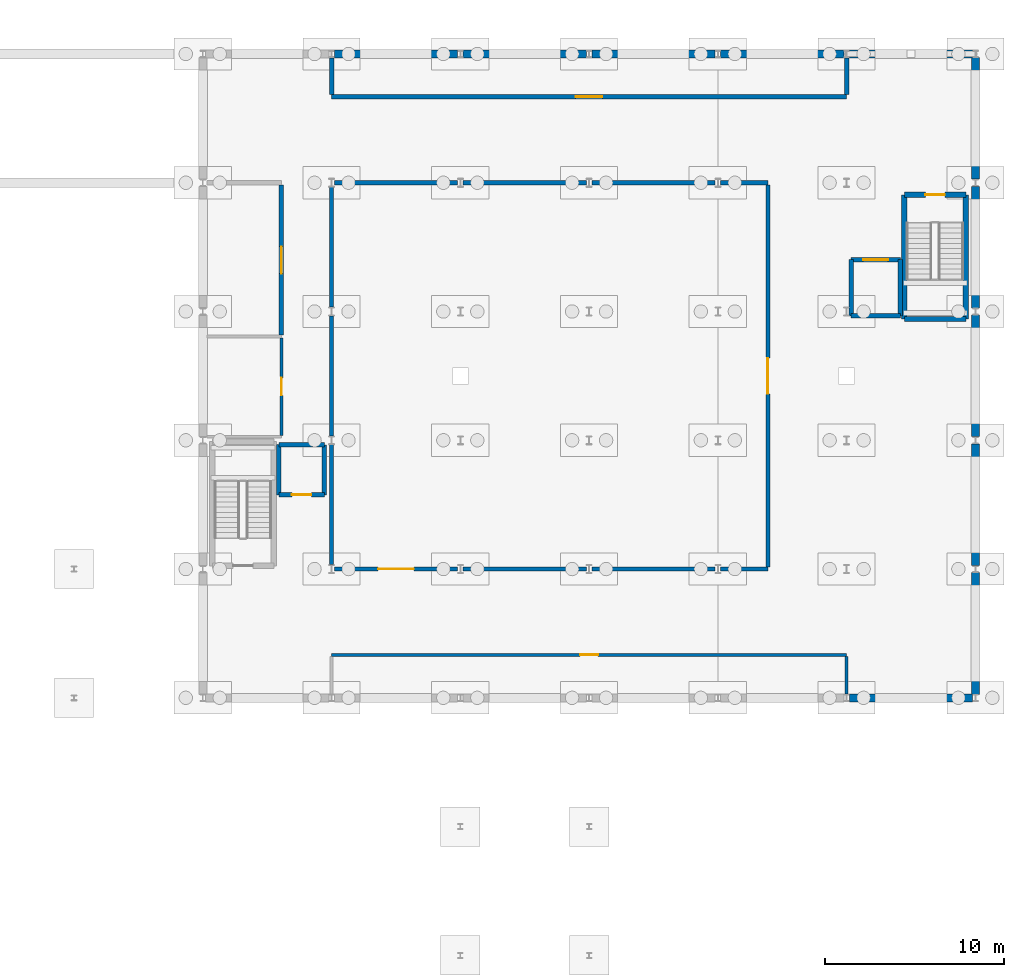
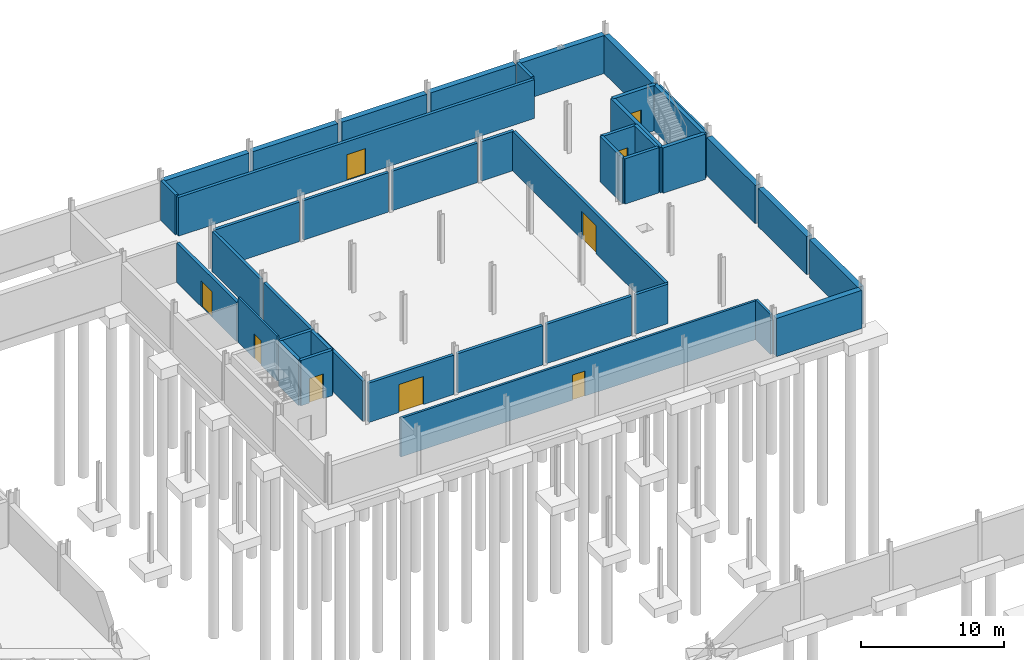
# One storey, part 42 of 50: 42 walls, 9 doors, 9 openings.
"""IFC4 building model written with IfcOpenShell, lengths in metres."""

from ifc_helpers import new_model, si_unit, direction, frame, frame_2d, origin, place, context, subcontext, project, spatial, rectangle, extrude, material, layer, layer_set, type_object, element, fill, save


model = new_model("IFC4")

# Units and contexts
model_context = context("Model", 3, precision=1e-05, world=origin(), true_north=direction((0.0, 1.0)))
body_context = subcontext(model_context, "Body", "Model", "MODEL_VIEW")
ifc_project = project(units=[si_unit("LENGTHUNIT", "METRE"), si_unit("AREAUNIT", "SQUARE_METRE"), si_unit("VOLUMEUNIT", "CUBIC_METRE"), si_unit("PLANEANGLEUNIT", "RADIAN"), si_unit("MASSUNIT", "GRAM", prefix="KILO")], contexts=[model_context])

# Site, building, storey
site_placement = place(None, origin())
site = spatial("IfcSite", under=ifc_project, at=site_placement, CompositionType="ELEMENT")
building_placement = place(site_placement, origin())
building = spatial("IfcBuilding", under=site, at=building_placement, Name="Narikvali Park Central Library", CompositionType="ELEMENT")
storey_placement = place(building_placement, frame((0.0, 0.0, -4.199951171875)))
storey = spatial("IfcBuildingStorey", under=building, at=storey_placement, Name="B1", CompositionType="ELEMENT", Elevation=-4.199951171875)

# Walls
ifc_material_1 = material(Name="Concrete C35/45", Category="concrete")
ifc_layer_1 = layer(ifc_material_1, 0.449951171875, Name="Concrete C35/45")
ifc_layer_set_1 = layer_set([ifc_layer_1], Name="Concrete C35/45")
wall_type_1 = type_object("IfcWallType", Name="Basement Perimeter Retaining Wall 450", PredefinedType="USERDEFINED", material=ifc_layer_set_1)
wall_1_placement = place(storey_placement, frame((129.75390625, 115.199951171875, 0.0), z_axis=(0.0, 0.0, 1.0), x_axis=(1.0, 0.0, 0.0)))
element("IfcWall", 1, at=wall_1_placement, inside=storey, type_object=wall_type_1, Name="V3 B1 Retaining Wall N", ObjectType="RETAINING WALL", PredefinedType="USERDEFINED", context=body_context, shape_type="SweptSolid", body=[
    extrude(rectangle(XDim=6.89208984375, YDim=0.449951171875, at=frame_2d((3.446044921875, 0.0))), origin(), (0.0, 0.0, 1.0), 3.260009765625),
])
for number, where, z_axis, x_axis, name in (
    (2, (136.9541015625, 115.199951171875, 0.0), (0.0, 0.0, 1.0), (1.0, 0.0, 0.0), "V3 B1 Retaining Wall N"),
    (3, (144.154052734375, 115.199951171875, 0.0), (0.0, 0.0, 1.0), (1.0, 0.0, 0.0), "V3 B1 Retaining Wall N"),
):
    element("IfcWall", number, at=place(storey_placement, frame(where, z_axis=z_axis, x_axis=x_axis)), inside=storey, type_object=wall_type_1, Name=name, ObjectType="RETAINING WALL", PredefinedType="USERDEFINED", context=body_context, shape_type="SweptSolid", body=[
        extrude(rectangle(XDim=6.891845703125, YDim=0.449951171875, at=frame_2d((3.44580078125, 0.0))), origin(), (0.0, 0.0, 1.0), 3.260009765625),
    ])
for number, where, z_axis, x_axis, name in (
    (4, (151.35400390625, 115.199951171875, 0.0), (0.0, 0.0, 1.0), (1.0, 0.0, 0.0), "V3 B1 Retaining Wall N"),
    (5, (158.553955078125, 79.199951171875, 0.0), (0.0, 0.0, 1.0), (1.0, 0.0, 0.0), "V3 B1 Retaining Wall S"),
    (6, (158.553955078125, 115.199951171875, 0.0), (0.0, 0.0, 1.0), (1.0, 0.0, 0.0), "V3 B1 Retaining Wall N"),
):
    element("IfcWall", number, at=place(storey_placement, frame(where, z_axis=z_axis, x_axis=x_axis)), inside=storey, type_object=wall_type_1, Name=name, ObjectType="RETAINING WALL", PredefinedType="USERDEFINED", context=body_context, shape_type="SweptSolid", body=[
        extrude(rectangle(XDim=6.89208984375, YDim=0.449951171875, at=frame_2d((3.446044921875, 0.0))), origin(), (0.0, 0.0, 1.0), 3.260009765625),
    ])
wall_2_placement = place(storey_placement, frame((165.60009765625, 79.3974609375, 0.0), z_axis=(0.0, 0.0, 1.0), x_axis=(0.0, 1.0, 0.0)))
element("IfcWall", 7, at=wall_2_placement, inside=storey, type_object=wall_type_1, Name="V3 B1 Retaining Wall E", ObjectType="RETAINING WALL", PredefinedType="USERDEFINED", context=body_context, shape_type="SweptSolid", body=[
    extrude(rectangle(XDim=6.804931640625, YDim=0.449951171875, at=frame_2d((3.40234375, 0.0))), origin(), (0.0, 0.0, 1.0), 3.260009765625),
])
wall_3_placement = place(storey_placement, frame((165.60009765625, 86.597412109375, 0.0), z_axis=(0.0, 0.0, 1.0), x_axis=(0.0, 1.0, 0.0)))
element("IfcWall", 8, at=wall_3_placement, inside=storey, type_object=wall_type_1, Name="V3 B1 Retaining Wall E", ObjectType="RETAINING WALL", PredefinedType="USERDEFINED", context=body_context, shape_type="SweptSolid", body=[
    extrude(rectangle(XDim=6.80517578125, YDim=0.449951171875, at=frame_2d((3.402587890625, 0.0))), origin(), (0.0, 0.0, 1.0), 3.260009765625),
])
for number, where, z_axis, x_axis, name in (
    (9, (165.60009765625, 93.797607421875, 0.0), (0.0, 0.0, 1.0), (0.0, 1.0, 0.0), "V3 B1 Retaining Wall E"),
    (10, (165.60009765625, 100.99755859375, 0.0), (0.0, 0.0, 1.0), (0.0, 1.0, 0.0), "V3 B1 Retaining Wall E"),
    (11, (165.60009765625, 108.197509765625, 0.0), (0.0, 0.0, 1.0), (0.0, 1.0, 0.0), "V3 B1 Retaining Wall E"),
):
    element("IfcWall", number, at=place(storey_placement, frame(where, z_axis=z_axis, x_axis=x_axis)), inside=storey, type_object=wall_type_1, Name=name, ObjectType="RETAINING WALL", PredefinedType="USERDEFINED", context=body_context, shape_type="SweptSolid", body=[
        extrude(rectangle(XDim=6.804931640625, YDim=0.449951171875, at=frame_2d((3.40234375, 0.0))), origin(), (0.0, 0.0, 1.0), 3.260009765625),
    ])

# Wall, opening, door
ifc_material_2 = material(Name="Autoclaved Concrete Blockwork C25/30", Category="masonry")
ifc_layer_2 = layer(ifc_material_2, 0.239990234375, Name="Autoclaved Concrete Blockwork C25/30")
ifc_layer_set_2 = layer_set([ifc_layer_2], Name="Autoclaved Concrete Blockwork C25/30")
wall_type_2 = type_object("IfcWallType", Name="Fire Compartment Concrete Block Wall 240", PredefinedType="SOLIDWALL", material=ifc_layer_set_2)
wall_4_placement = place(storey_placement, frame((129.757568359375, 86.39990234375, 0.0), z_axis=(0.0, 0.0, 1.0), x_axis=(1.0, 0.0, 0.0)))
wall_4 = element("IfcWall", 12, at=wall_4_placement, inside=storey, type_object=wall_type_2, Name="Performers Green Room and Dressing Suite Partition S", PredefinedType="SOLIDWALL", context=body_context, shape_type="SweptSolid", body=[
    extrude(rectangle(XDim=6.885009765625, YDim=0.239990234375, at=frame_2d((3.4423828125, 0.0))), origin(), (0.0, 0.0, 1.0), 3.375),
])
opening_1_placement = place(wall_4_placement, frame((2.4423828125, 0.0, 0.0)))
opening_1 = element("IfcOpeningElement", 13, at=opening_1_placement, cuts=wall_4, Name="Opening ID-0062", PredefinedType="OPENING", context=body_context, shape_type="SweptSolid", body=[
    extrude(rectangle(XDim=2.0, YDim=2.39990234375, at=frame_2d((1.0, 1.199951171875))), frame((0.0, 0.1318359375, 0.0), z_axis=(0.0, -1.0, 0.0), x_axis=(1.0, 0.0, 0.0)), (0.0, 0.0, 1.0), 0.263916015625),
])
ifc_material_3 = material(Name="Acoustic Upholstered Solid Oak")
door_type_1 = type_object("IfcDoorType", Name="Auditorium Acoustic Double Lobby Door 2000x2400", OperationType="DOUBLE_DOOR_SINGLE_SWING", PredefinedType="DOOR", material=ifc_material_3)
door_1_placement = place(opening_1_placement, origin())
door_1 = element("IfcDoor", 14, at=door_1_placement, inside=storey, type_object=door_type_1, Name="Performers Green Room and Dressing Suite Door ID-0062", OperationType="DOUBLE_DOOR_SINGLE_SWING", OverallHeight=2.39990234375, OverallWidth=2.0, PredefinedType="DOOR", context=body_context, shape_type="SweptSolid", body=[
    extrude(rectangle(XDim=2.0, YDim=2.39990234375, at=frame_2d((1.0, 1.199951171875))), frame((0.0, 0.02490234375, 0.0), z_axis=(0.0, -1.0, 0.0), x_axis=(1.0, 0.0, 0.0)), (0.0, 0.0, 1.0), 0.050048828125),
])
fill(opening_1, door_1)

# Walls
for number, where, z_axis, x_axis, name in (
    (15, (136.95751953125, 86.39990234375, 0.0), (0.0, 0.0, 1.0), (1.0, 0.0, 0.0), "Performers Green Room and Dressing Suite Partition S"),
    (16, (144.157470703125, 86.39990234375, 0.0), (0.0, 0.0, 1.0), (1.0, 0.0, 0.0), "Performers Green Room and Dressing Suite Partition S"),
):
    element("IfcWall", number, at=place(storey_placement, frame(where, z_axis=z_axis, x_axis=x_axis)), inside=storey, type_object=wall_type_2, Name=name, PredefinedType="SOLIDWALL", context=body_context, shape_type="SweptSolid", body=[
        extrude(rectangle(XDim=6.885009765625, YDim=0.239990234375, at=frame_2d((3.4423828125, 0.0))), origin(), (0.0, 0.0, 1.0), 3.375),
    ])
wall_5_placement = place(storey_placement, frame((151.357421875, 86.39990234375, 0.0), z_axis=(0.0, 0.0, 1.0), x_axis=(1.0, 0.0, 0.0)))
element("IfcWall", 17, at=wall_5_placement, inside=storey, type_object=wall_type_2, Name="Performers Green Room and Dressing Suite Partition S", PredefinedType="SOLIDWALL", context=body_context, shape_type="SweptSolid", body=[
    extrude(rectangle(XDim=2.642578125, YDim=0.239990234375, at=frame_2d((1.3212890625, 0.0))), origin(), (0.0, 0.0, 1.0), 3.375),
])
for number, where, z_axis, x_axis, name in (
    (18, (129.757568359375, 108.0, 0.0), (0.0, 0.0, 1.0), (1.0, 0.0, 0.0), "Performers Green Room and Dressing Suite Partition N"),
    (19, (136.95751953125, 108.0, 0.0), (0.0, 0.0, 1.0), (1.0, 0.0, 0.0), "Performers Green Room and Dressing Suite Partition N"),
    (20, (144.157470703125, 108.0, 0.0), (0.0, 0.0, 1.0), (1.0, 0.0, 0.0), "Performers Green Room and Dressing Suite Partition N"),
):
    element("IfcWall", number, at=place(storey_placement, frame(where, z_axis=z_axis, x_axis=x_axis)), inside=storey, type_object=wall_type_2, Name=name, PredefinedType="SOLIDWALL", context=body_context, shape_type="SweptSolid", body=[
        extrude(rectangle(XDim=6.885009765625, YDim=0.239990234375, at=frame_2d((3.4423828125, 0.0))), origin(), (0.0, 0.0, 1.0), 3.375),
    ])
wall_6_placement = place(storey_placement, frame((151.357421875, 108.0, 0.0), z_axis=(0.0, 0.0, 1.0), x_axis=(1.0, 0.0, 0.0)))
element("IfcWall", 21, at=wall_6_placement, inside=storey, type_object=wall_type_2, Name="Performers Green Room and Dressing Suite Partition N", PredefinedType="SOLIDWALL", context=body_context, shape_type="SweptSolid", body=[
    extrude(rectangle(XDim=2.642578125, YDim=0.239990234375, at=frame_2d((1.3212890625, 0.0))), origin(), (0.0, 0.0, 1.0), 3.375),
])
for number, where, z_axis, x_axis, name in (
    (22, (129.60009765625, 86.64306640625, 0.0), (0.0, 0.0, 1.0), (0.0, 1.0, 0.0), "Performers Green Room and Dressing Suite Partition W"),
    (23, (129.60009765625, 93.843017578125, 0.0), (0.0, 0.0, 1.0), (0.0, 1.0, 0.0), "Performers Green Room and Dressing Suite Partition W"),
):
    element("IfcWall", number, at=place(storey_placement, frame(where, z_axis=z_axis, x_axis=x_axis)), inside=storey, type_object=wall_type_2, Name=name, PredefinedType="SOLIDWALL", context=body_context, shape_type="SweptSolid", body=[
        extrude(rectangle(XDim=6.7138671875, YDim=0.239990234375, at=frame_2d((3.35693359375, 0.0))), origin(), (0.0, 0.0, 1.0), 3.425048828125),
    ])
wall_7_placement = place(storey_placement, frame((129.60009765625, 101.04296875, 0.0), z_axis=(0.0, 0.0, 1.0), x_axis=(0.0, 1.0, 0.0)))
element("IfcWall", 24, at=wall_7_placement, inside=storey, type_object=wall_type_2, Name="Performers Green Room and Dressing Suite Partition W", PredefinedType="SOLIDWALL", context=body_context, shape_type="SweptSolid", body=[
    extrude(rectangle(XDim=6.714111328125, YDim=0.239990234375, at=frame_2d((3.35693359375, 0.0))), origin(), (0.0, 0.0, 1.0), 3.425048828125),
])

# Wall, opening, door
wall_8_placement = place(storey_placement, frame((154.0, 86.52197265625, 0.0), z_axis=(0.0, 0.0, 1.0), x_axis=(0.0, 1.0, 0.0)))
wall_8 = element("IfcWall", 25, at=wall_8_placement, inside=storey, type_object=wall_type_2, Name="Performers Green Room and Dressing Suite Partition E", PredefinedType="SOLIDWALL", context=body_context, shape_type="SweptSolid", body=[
    extrude(rectangle(XDim=21.35595703125, YDim=0.239990234375, at=frame_2d((10.677978515625, 0.0))), origin(), (0.0, 0.0, 1.0), 3.375),
])
opening_2_placement = place(wall_8_placement, frame((9.677978515625, 0.0, 0.0)))
opening_2 = element("IfcOpeningElement", 26, at=opening_2_placement, cuts=wall_8, Name="Opening ID-0061", PredefinedType="OPENING", context=body_context, shape_type="SweptSolid", body=[
    extrude(rectangle(XDim=2.0, YDim=2.39990234375, at=frame_2d((1.0, 1.199951171875))), frame((0.0, 0.1318359375, 0.0), z_axis=(0.0, -1.0, 0.0), x_axis=(1.0, 0.0, 0.0)), (0.0, 0.0, 1.0), 0.263916015625),
])
door_2_placement = place(opening_2_placement, origin())
door_2 = element("IfcDoor", 27, at=door_2_placement, inside=storey, type_object=door_type_1, Name="Performers Green Room and Dressing Suite Door ID-0061", OperationType="DOUBLE_DOOR_SINGLE_SWING", OverallHeight=2.39990234375, OverallWidth=2.0, PredefinedType="DOOR", context=body_context, shape_type="SweptSolid", body=[
    extrude(rectangle(XDim=2.0, YDim=2.39990234375, at=frame_2d((1.0, 1.199951171875))), frame((0.0, 0.02490234375, 0.0), z_axis=(0.0, -1.0, 0.0), x_axis=(1.0, 0.0, 0.0)), (0.0, 0.0, 1.0), 0.050048828125),
])
fill(opening_2, door_2)

ifc_material_4 = material(Name="Moisture-Resistant Cement Board on Steel Studs", Category="steel")
ifc_layer_3 = layer(ifc_material_4, 0.14990234375, Name="Moisture-Resistant Cement Board on Steel Studs")
ifc_layer_set_3 = layer_set([ifc_layer_3], Name="Moisture-Resistant Cement Board on Steel Studs")
wall_type_3 = type_object("IfcWallType", Name="Moisture-Resistant WC Partition 150", PredefinedType="PARTITIONING", material=ifc_layer_set_3)
wall_9_placement = place(storey_placement, frame((126.800048828125, 93.876953125, 0.0), z_axis=(0.0, 0.0, 1.0), x_axis=(0.0, 1.0, 0.0)))
wall_9 = element("IfcWall", 28, at=wall_9_placement, inside=storey, type_object=wall_type_3, Name="Backstage Accessible WC B1 Partition E", PredefinedType="PARTITIONING", context=body_context, shape_type="SweptSolid", body=[
    extrude(rectangle(XDim=5.446044921875, YDim=0.14990234375, at=frame_2d((2.72314453125, 0.0))), origin(), (0.0, 0.0, 1.0), 3.864990234375),
])
opening_3_placement = place(wall_9_placement, frame((2.23291015625, 0.0, 0.0)))
opening_3 = element("IfcOpeningElement", 29, at=opening_3_placement, cuts=wall_9, Name="Opening ID-0008", PredefinedType="OPENING", context=body_context, shape_type="SweptSolid", body=[
    extrude(rectangle(XDim=0.97998046875, YDim=2.10009765625, at=frame_2d((0.489990234375, 1.050048828125))), frame((0.0, 0.0869140625, 0.0), z_axis=(0.0, -1.0, 0.0), x_axis=(1.0, 0.0, 0.0)), (0.0, 0.0, 1.0), 0.173828125),
])
ifc_material_5 = material(Name="Laminate Faced Hardwood Core", Category="wood")
door_type_2 = type_object("IfcDoorType", Name="Accessible WC Outward-Opening Door 980x2100", OperationType="SINGLE_SWING_RIGHT", PredefinedType="DOOR", material=ifc_material_5)
door_3_placement = place(opening_3_placement, frame((0.97998046875, 0.0, 0.0), z_axis=(0.0, 0.0, 1.0), x_axis=(-1.0, 0.0, 0.0)))
door_3 = element("IfcDoor", 30, at=door_3_placement, inside=storey, type_object=door_type_2, Name="Backstage Accessible WC B1 Door ID-0008", OperationType="SINGLE_SWING_RIGHT", OverallHeight=2.10009765625, OverallWidth=0.97998046875, PredefinedType="DOOR", context=body_context, shape_type="SweptSolid", body=[
    extrude(rectangle(XDim=0.97998046875, YDim=2.10009765625, at=frame_2d((0.489990234375, 1.050048828125))), frame((0.0, 0.02490234375, 0.0), z_axis=(0.0, -1.0, 0.0), x_axis=(1.0, 0.0, 0.0)), (0.0, 0.0, 1.0), 0.050048828125),
])
fill(opening_3, door_3)

ifc_material_6 = material(Name="Concrete Blockwork C30/37", Category="masonry")
ifc_layer_4 = layer(ifc_material_6, 0.25, Name="Concrete Blockwork C30/37")
ifc_layer_set_4 = layer_set([ifc_layer_4], Name="Concrete Blockwork C30/37")
wall_type_4 = type_object("IfcWallType", Name="Plant Room Acoustic Fire Wall 250", PredefinedType="SOLIDWALL", material=ifc_layer_set_4)
wall_10_placement = place(storey_placement, frame((129.60009765625, 112.800048828125, 0.0), z_axis=(0.0, 0.0, 1.0), x_axis=(1.0, 0.0, 0.0)))
wall_10 = element("IfcWall", 31, at=wall_10_placement, inside=storey, type_object=wall_type_4, Name="Stage House Acoustic Supply Plant Room Partition S", PredefinedType="SOLIDWALL", context=body_context, shape_type="SweptSolid", body=[
    extrude(rectangle(XDim=28.7998046875, YDim=0.25, at=frame_2d((14.39990234375, 0.0))), origin(), (0.0, 0.0, 1.0), 3.31494140625),
])
opening_4_placement = place(wall_10_placement, frame((13.64990234375, 0.0, 0.0)))
opening_4 = element("IfcOpeningElement", 32, at=opening_4_placement, cuts=wall_10, Name="Opening ID-0063", PredefinedType="OPENING", context=body_context, shape_type="SweptSolid", body=[
    extrude(rectangle(XDim=1.5, YDim=2.199951171875, at=frame_2d((0.75, 1.10009765625))), frame((0.0, 0.136962890625, 0.0), z_axis=(0.0, -1.0, 0.0), x_axis=(1.0, 0.0, 0.0)), (0.0, 0.0, 1.0), 0.27392578125),
])
ifc_material_7 = material(Name="Galvanised Steel S275 Louvred Fire Leaf", Category="steel")
door_type_3 = type_object("IfcDoorType", Name="Plant Room Double Steel Fire Door 1500x2200", OperationType="DOUBLE_DOOR_SINGLE_SWING", PredefinedType="DOOR", material=ifc_material_7)
door_4_placement = place(opening_4_placement, frame((1.5, 0.0, 0.0), z_axis=(0.0, 0.0, 1.0), x_axis=(-1.0, 0.0, 0.0)))
door_4 = element("IfcDoor", 33, at=door_4_placement, inside=storey, type_object=door_type_3, Name="Stage House Acoustic Supply Plant Room Door ID-0063", OperationType="DOUBLE_DOOR_SINGLE_SWING", OverallHeight=2.199951171875, OverallWidth=1.5, PredefinedType="DOOR", context=body_context, shape_type="SweptSolid", body=[
    extrude(rectangle(XDim=1.5, YDim=2.199951171875, at=frame_2d((0.75, 1.10009765625))), frame((0.0, 0.02490234375, 0.0), z_axis=(0.0, -1.0, 0.0), x_axis=(1.0, 0.0, 0.0)), (0.0, 0.0, 1.0), 0.050048828125),
])
fill(opening_4, door_4)

wall_11_placement = place(storey_placement, frame((126.800048828125, 99.47705078125, 0.0), z_axis=(0.0, 0.0, 1.0), x_axis=(0.0, 1.0, 0.0)))
wall_11 = element("IfcWall", 34, at=wall_11_placement, inside=storey, type_object=wall_type_4, Name="Acoustic Chiller and Standby Power Room Partition E", PredefinedType="SOLIDWALL", context=body_context, shape_type="SweptSolid", body=[
    extrude(rectangle(XDim=8.39599609375, YDim=0.25, at=frame_2d((4.197998046875, 0.0))), origin(), (0.0, 0.0, 1.0), 3.375),
])
opening_5_placement = place(wall_11_placement, frame((3.447998046875, 0.0, 0.0)))
opening_5 = element("IfcOpeningElement", 35, at=opening_5_placement, cuts=wall_11, Name="Opening ID-0060", PredefinedType="OPENING", context=body_context, shape_type="SweptSolid", body=[
    extrude(rectangle(XDim=1.5, YDim=2.199951171875, at=frame_2d((0.75, 1.10009765625))), frame((0.0, 0.136962890625, 0.0), z_axis=(0.0, -1.0, 0.0), x_axis=(1.0, 0.0, 0.0)), (0.0, 0.0, 1.0), 0.27392578125),
])
door_5_placement = place(opening_5_placement, frame((1.5, 0.0, 0.0), z_axis=(0.0, 0.0, 1.0), x_axis=(-1.0, 0.0, 0.0)))
door_5 = element("IfcDoor", 36, at=door_5_placement, inside=storey, type_object=door_type_3, Name="Acoustic Chiller and Standby Power Room Door ID-0060", OperationType="DOUBLE_DOOR_SINGLE_SWING", OverallHeight=2.199951171875, OverallWidth=1.5, PredefinedType="DOOR", context=body_context, shape_type="SweptSolid", body=[
    extrude(rectangle(XDim=1.5, YDim=2.199951171875, at=frame_2d((0.75, 1.10009765625))), frame((0.0, 0.02490234375, 0.0), z_axis=(0.0, -1.0, 0.0), x_axis=(1.0, 0.0, 0.0)), (0.0, 0.0, 1.0), 0.050048828125),
])
fill(opening_5, door_5)

# Walls
for number, where, z_axis, x_axis, name in (
    (37, (129.60009765625, 112.927001953125, 0.0), (0.0, 0.0, 1.0), (0.0, 1.0, 0.0), "Stage House Acoustic Supply Plant Room Partition W"),
    (38, (158.39990234375, 112.927001953125, 0.0), (0.0, 0.0, 1.0), (0.0, 1.0, 0.0), "Stage House Acoustic Supply Plant Room Partition E"),
):
    element("IfcWall", number, at=place(storey_placement, frame(where, z_axis=z_axis, x_axis=x_axis)), inside=storey, type_object=wall_type_4, Name=name, PredefinedType="SOLIDWALL", context=body_context, shape_type="SweptSolid", body=[
        extrude(rectangle(XDim=2.048095703125, YDim=0.25, at=frame_2d((1.02392578125, 0.0))), origin(), (0.0, 0.0, 1.0), 3.425048828125),
    ])

# Wall, opening, door
ifc_material_8 = material(Name="Acoustic Gypsum on Steel Studs", Category="steel")
ifc_layer_5 = layer(ifc_material_8, 0.179931640625, Name="Acoustic Gypsum on Steel Studs")
ifc_layer_set_5 = layer_set([ifc_layer_5], Name="Acoustic Gypsum on Steel Studs")
wall_type_5 = type_object("IfcWallType", Name="Reading Room Acoustic Partition 180", PredefinedType="PARTITIONING", material=ifc_layer_set_5)
wall_12_placement = place(storey_placement, frame((129.60009765625, 81.60009765625, 0.0), z_axis=(0.0, 0.0, 1.0), x_axis=(1.0, 0.0, 0.0)))
wall_12 = element("IfcWall", 39, at=wall_12_placement, inside=storey, type_object=wall_type_5, Name="Stage House Chair and Rigging Store Partition N", PredefinedType="PARTITIONING", context=body_context, shape_type="SweptSolid", body=[
    extrude(rectangle(XDim=28.7998046875, YDim=0.179931640625, at=frame_2d((14.39990234375, 0.0))), origin(), (0.0, 0.0, 1.0), 3.31494140625),
])
opening_6_placement = place(wall_12_placement, frame((13.89990234375, 0.0, 0.0)))
opening_6 = element("IfcOpeningElement", 40, at=opening_6_placement, cuts=wall_12, Name="Opening ID-0064", PredefinedType="OPENING", context=body_context, shape_type="SweptSolid", body=[
    extrude(rectangle(XDim=1.0, YDim=2.14990234375, at=frame_2d((0.5, 1.074951171875))), frame((0.0, 0.10205078125, 0.0), z_axis=(0.0, -1.0, 0.0), x_axis=(1.0, 0.0, 0.0)), (0.0, 0.0, 1.0), 0.203857421875),
])
ifc_material_9 = material(Name="Solid Caucasian Oak")
door_type_4 = type_object("IfcDoorType", Name="Study Room Single Oak Door 1000x2150", OperationType="SINGLE_SWING_LEFT", PredefinedType="DOOR", material=ifc_material_9)
door_6_placement = place(opening_6_placement, frame((1.0, 0.0, 0.0), z_axis=(0.0, 0.0, 1.0), x_axis=(-1.0, 0.0, 0.0)))
door_6 = element("IfcDoor", 41, at=door_6_placement, inside=storey, type_object=door_type_4, Name="Stage House Chair and Rigging Store Door ID-0064", OperationType="SINGLE_SWING_RIGHT", OverallHeight=2.14990234375, OverallWidth=1.0, PredefinedType="DOOR", context=body_context, shape_type="SweptSolid", body=[
    extrude(rectangle(XDim=1.0, YDim=2.14990234375, at=frame_2d((0.5, 1.074951171875))), frame((0.0, 0.02490234375, 0.0), z_axis=(0.0, -1.0, 0.0), x_axis=(1.0, 0.0, 0.0)), (0.0, 0.0, 1.0), 0.050048828125),
])
fill(opening_6, door_6)

# Wall
wall_13_placement = place(storey_placement, frame((158.39990234375, 79.425048828125, 0.0), z_axis=(0.0, 0.0, 1.0), x_axis=(0.0, 1.0, 0.0)))
element("IfcWall", 42, at=wall_13_placement, inside=storey, type_object=wall_type_5, Name="Stage House Chair and Rigging Store Partition E", PredefinedType="PARTITIONING", context=body_context, shape_type="SweptSolid", body=[
    extrude(rectangle(XDim=2.0830078125, YDim=0.179931640625, at=frame_2d((1.04150390625, 0.0))), origin(), (0.0, 0.0, 1.0), 3.425048828125),
])

# Wall, opening, door
ifc_material_10 = material(Name="Concrete C40/50", Category="concrete")
ifc_layer_6 = layer(ifc_material_10, 0.25, Name="Concrete C40/50")
ifc_layer_set_6 = layer_set([ifc_layer_6], Name="Concrete C40/50")
wall_type_6 = type_object("IfcWallType", Name="Reinforced Concrete Lift Shaft Wall 250", PredefinedType="SHEAR", material=ifc_layer_set_6)
wall_14_placement = place(storey_placement, frame((126.64990234375, 90.550048828125, 0.0), z_axis=(0.0, 0.0, 1.0), x_axis=(1.0, 0.0, 0.0)))
wall_14 = element("IfcWall", 43, at=wall_14_placement, inside=storey, type_object=wall_type_6, Name="L-04 B1 Lift Shaft Wall S", PredefinedType="SHEAR", context=body_context, shape_type="SweptSolid", body=[
    extrude(rectangle(XDim=2.550048828125, YDim=0.25, at=frame_2d((1.27490234375, 0.0))), origin(), (0.0, 0.0, 1.0), 3.8798828125),
])
opening_7_placement = place(wall_14_placement, frame((0.72509765625, 0.0, 0.0)))
opening_7 = element("IfcOpeningElement", 44, at=opening_7_placement, cuts=wall_14, Name="Opening LD-014", PredefinedType="OPENING", context=body_context, shape_type="SweptSolid", body=[
    extrude(rectangle(XDim=1.10009765625, YDim=2.10009765625, at=frame_2d((0.550048828125, 1.050048828125))), frame((0.0, 0.136962890625, 0.0), z_axis=(0.0, -1.0, 0.0), x_axis=(1.0, 0.0, 0.0)), (0.0, 0.0, 1.0), 0.27392578125),
])
ifc_material_11 = material(Name="Brushed Stainless Steel S355", Category="steel")
door_type_5 = type_object("IfcDoorType", Name="Passenger Lift Sliding Landing Door 1100x2100", OperationType="SLIDING_TO_LEFT", PredefinedType="DOOR", material=ifc_material_11)
door_7_placement = place(opening_7_placement, origin())
door_7 = element("IfcDoor", 45, at=door_7_placement, inside=storey, type_object=door_type_5, Name="L-04 B1 Lift Landing Sliding Door LD-014", OperationType="SLIDING_TO_LEFT", OverallHeight=2.10009765625, OverallWidth=1.10009765625, PredefinedType="DOOR", context=body_context, shape_type="SweptSolid", body=[
    extrude(rectangle(XDim=1.10009765625, YDim=2.10009765625, at=frame_2d((0.550048828125, 1.050048828125))), frame((0.0, 0.02490234375, 0.0), z_axis=(0.0, -1.0, 0.0), x_axis=(1.0, 0.0, 0.0)), (0.0, 0.0, 1.0), 0.050048828125),
])
fill(opening_7, door_7)

# Walls
wall_15_placement = place(storey_placement, frame((129.199951171875, 90.550048828125, 0.0), z_axis=(0.0, 0.0, 1.0), x_axis=(0.0, 1.0, 0.0)))
element("IfcWall", 46, at=wall_15_placement, inside=storey, type_object=wall_type_6, Name="L-04 B1 Lift Shaft Wall E", PredefinedType="SHEAR", context=body_context, shape_type="SweptSolid", body=[
    extrude(rectangle(XDim=2.800048828125, YDim=0.25, at=frame_2d((1.39990234375, 0.0))), origin(), (0.0, 0.0, 1.0), 3.8798828125),
])
wall_16_placement = place(storey_placement, frame((129.199951171875, 93.35009765625, 0.0), z_axis=(0.0, 0.0, 1.0), x_axis=(-1.0, 0.0, 0.0)))
element("IfcWall", 47, at=wall_16_placement, inside=storey, type_object=wall_type_6, Name="L-04 B1 Lift Shaft Wall N", PredefinedType="SHEAR", context=body_context, shape_type="SweptSolid", body=[
    extrude(rectangle(XDim=2.550048828125, YDim=0.25, at=frame_2d((1.27490234375, 0.0))), origin(), (0.0, 0.0, 1.0), 3.8798828125),
])
wall_17_placement = place(storey_placement, frame((126.64990234375, 93.35009765625, 0.0), z_axis=(0.0, 0.0, 1.0), x_axis=(0.0, -1.0, 0.0)))
element("IfcWall", 48, at=wall_17_placement, inside=storey, type_object=wall_type_6, Name="L-04 B1 Lift Shaft Wall W", PredefinedType="SHEAR", context=body_context, shape_type="SweptSolid", body=[
    extrude(rectangle(XDim=2.800048828125, YDim=0.25, at=frame_2d((1.39990234375, 0.0))), origin(), (0.0, 0.0, 1.0), 3.8798828125),
])
wall_18_placement = place(storey_placement, frame((158.64990234375, 100.550048828125, 0.0), z_axis=(0.0, 0.0, 1.0), x_axis=(1.0, 0.0, 0.0)))
element("IfcWall", 49, at=wall_18_placement, inside=storey, type_object=wall_type_6, Name="GL-01 B1 Lift Shaft Wall S", PredefinedType="SHEAR", context=body_context, shape_type="SweptSolid", body=[
    extrude(rectangle(XDim=2.75, YDim=0.25, at=frame_2d((1.375, 0.0))), origin(), (0.0, 0.0, 1.0), 3.8798828125),
])
wall_19_placement = place(storey_placement, frame((161.39990234375, 100.550048828125, 0.0), z_axis=(0.0, 0.0, 1.0), x_axis=(0.0, 1.0, 0.0)))
element("IfcWall", 50, at=wall_19_placement, inside=storey, type_object=wall_type_6, Name="GL-01 B1 Lift Shaft Wall E", PredefinedType="SHEAR", context=body_context, shape_type="SweptSolid", body=[
    extrude(rectangle(XDim=3.14990234375, YDim=0.25, at=frame_2d((1.574951171875, 0.0))), origin(), (0.0, 0.0, 1.0), 3.8798828125),
])

# Wall, opening, door
wall_20_placement = place(storey_placement, frame((161.39990234375, 103.699951171875, 0.0), z_axis=(0.0, 0.0, 1.0), x_axis=(-1.0, 0.0, 0.0)))
wall_20 = element("IfcWall", 51, at=wall_20_placement, inside=storey, type_object=wall_type_6, Name="GL-01 B1 Lift Shaft Wall N", PredefinedType="SHEAR", context=body_context, shape_type="SweptSolid", body=[
    extrude(rectangle(XDim=2.75, YDim=0.25, at=frame_2d((1.375, 0.0))), origin(), (0.0, 0.0, 1.0), 3.8798828125),
])
opening_8_placement = place(wall_20_placement, frame((0.675048828125, 0.0, 0.0)))
opening_8 = element("IfcOpeningElement", 52, at=opening_8_placement, cuts=wall_20, Name="Opening LD-018", PredefinedType="OPENING", context=body_context, shape_type="SweptSolid", body=[
    extrude(rectangle(XDim=1.39990234375, YDim=2.199951171875, at=frame_2d((0.699951171875, 1.10009765625))), frame((0.0, 0.136962890625, 0.0), z_axis=(0.0, -1.0, 0.0), x_axis=(1.0, 0.0, 0.0)), (0.0, 0.0, 1.0), 0.27392578125),
])
door_type_6 = type_object("IfcDoorType", Name="Book Goods Lift Sliding Landing Door 1400x2200", OperationType="DOUBLE_DOOR_SLIDING", PredefinedType="DOOR", material=ifc_material_11)
door_8_placement = place(opening_8_placement, origin())
door_8 = element("IfcDoor", 53, at=door_8_placement, inside=storey, type_object=door_type_6, Name="GL-01 B1 Lift Landing Sliding Door LD-018", OperationType="DOUBLE_DOOR_SLIDING", OverallHeight=2.199951171875, OverallWidth=1.39990234375, PredefinedType="DOOR", context=body_context, shape_type="SweptSolid", body=[
    extrude(rectangle(XDim=1.39990234375, YDim=2.199951171875, at=frame_2d((0.699951171875, 1.10009765625))), frame((0.0, 0.02490234375, 0.0), z_axis=(0.0, -1.0, 0.0), x_axis=(1.0, 0.0, 0.0)), (0.0, 0.0, 1.0), 0.050048828125),
])
fill(opening_8, door_8)

# Walls
wall_21_placement = place(storey_placement, frame((158.64990234375, 103.699951171875, 0.0), z_axis=(0.0, 0.0, 1.0), x_axis=(0.0, -1.0, 0.0)))
element("IfcWall", 54, at=wall_21_placement, inside=storey, type_object=wall_type_6, Name="GL-01 B1 Lift Shaft Wall W", PredefinedType="SHEAR", context=body_context, shape_type="SweptSolid", body=[
    extrude(rectangle(XDim=3.14990234375, YDim=0.25, at=frame_2d((1.574951171875, 0.0))), origin(), (0.0, 0.0, 1.0), 3.8798828125),
])
ifc_layer_7 = layer(ifc_material_10, 0.300048828125, Name="Concrete C40/50")
ifc_layer_set_7 = layer_set([ifc_layer_7], Name="Concrete C40/50")
wall_type_7 = type_object("IfcWallType", Name="Reinforced Concrete Shear Wall 300", PredefinedType="SHEAR", material=ifc_layer_set_7)
wall_22_placement = place(storey_placement, frame((161.6298828125, 100.3798828125, 0.0), z_axis=(0.0, 0.0, 1.0), x_axis=(1.0, 0.0, 0.0)))
element("IfcWall", 55, at=wall_22_placement, inside=storey, type_object=wall_type_7, Name="C3B B1 Stair Core Shear Wall S", PredefinedType="SHEAR", context=body_context, shape_type="SweptSolid", body=[
    extrude(rectangle(XDim=3.440185546875, YDim=0.300048828125, at=frame_2d((1.72021484375, 0.0))), origin(), (0.0, 0.0, 1.0), 3.8798828125),
])
wall_23_placement = place(storey_placement, frame((165.070068359375, 100.3798828125, 0.0), z_axis=(0.0, 0.0, 1.0), x_axis=(0.0, 1.0, 0.0)))
element("IfcWall", 56, at=wall_23_placement, inside=storey, type_object=wall_type_7, Name="C3B B1 Stair Core Shear Wall E", PredefinedType="SHEAR", context=body_context, shape_type="SweptSolid", body=[
    extrude(rectangle(XDim=6.940185546875, YDim=0.300048828125, at=frame_2d((3.47021484375, 0.0))), origin(), (0.0, 0.0, 1.0), 3.8798828125),
])

# Wall, opening, door
wall_24_placement = place(storey_placement, frame((165.070068359375, 107.320068359375, 0.0), z_axis=(0.0, 0.0, 1.0), x_axis=(-1.0, 0.0, 0.0)))
wall_24 = element("IfcWall", 57, at=wall_24_placement, inside=storey, type_object=wall_type_7, Name="C3B B1 Stair Core Shear Wall N", PredefinedType="SHEAR", context=body_context, shape_type="SweptSolid", body=[
    extrude(rectangle(XDim=3.440185546875, YDim=0.300048828125, at=frame_2d((1.72021484375, 0.0))), origin(), (0.0, 0.0, 1.0), 3.8798828125),
])
opening_9_placement = place(wall_24_placement, frame((1.169921875, 0.0, 0.0)))
opening_9 = element("IfcOpeningElement", 58, at=opening_9_placement, cuts=wall_24, Name="Opening SD-020", PredefinedType="OPENING", context=body_context, shape_type="SweptSolid", body=[
    extrude(rectangle(XDim=1.10009765625, YDim=2.14990234375, at=frame_2d((0.550048828125, 1.074951171875))), frame((0.0, 0.162109375, 0.0), z_axis=(0.0, -1.0, 0.0), x_axis=(1.0, 0.0, 0.0)), (0.0, 0.0, 1.0), 0.323974609375),
])
ifc_material_12 = material(Name="Powder-Coated Steel S275 Fire Leaf", Category="steel")
door_type_7 = type_object("IfcDoorType", Name="Stair Core Smoke-Control Fire Door 1100x2150", OperationType="SINGLE_SWING_LEFT", PredefinedType="DOOR", material=ifc_material_12)
door_9_placement = place(opening_9_placement, frame((1.10009765625, 0.0, 0.0), z_axis=(0.0, 0.0, 1.0), x_axis=(-1.0, 0.0, 0.0)))
door_9 = element("IfcDoor", 59, at=door_9_placement, inside=storey, type_object=door_type_7, Name="ST-06 B1 Stair Exit Door SD-020", OperationType="SINGLE_SWING_RIGHT", OverallHeight=2.14990234375, OverallWidth=1.10009765625, PredefinedType="DOOR", context=body_context, shape_type="SweptSolid", body=[
    extrude(rectangle(XDim=1.10009765625, YDim=2.14990234375, at=frame_2d((0.550048828125, 1.074951171875))), frame((0.0, 0.02490234375, 0.0), z_axis=(0.0, -1.0, 0.0), x_axis=(1.0, 0.0, 0.0)), (0.0, 0.0, 1.0), 0.050048828125),
])
fill(opening_9, door_9)

# Wall
wall_25_placement = place(storey_placement, frame((161.6298828125, 107.320068359375, 0.0), z_axis=(0.0, 0.0, 1.0), x_axis=(0.0, -1.0, 0.0)))
element("IfcWall", 60, at=wall_25_placement, inside=storey, type_object=wall_type_7, Name="C3B B1 Stair Core Shear Wall W", PredefinedType="SHEAR", context=body_context, shape_type="SweptSolid", body=[
    extrude(rectangle(XDim=6.940185546875, YDim=0.300048828125, at=frame_2d((3.47021484375, 0.0))), origin(), (0.0, 0.0, 1.0), 3.8798828125),
])

save(model, "model.ifc")
